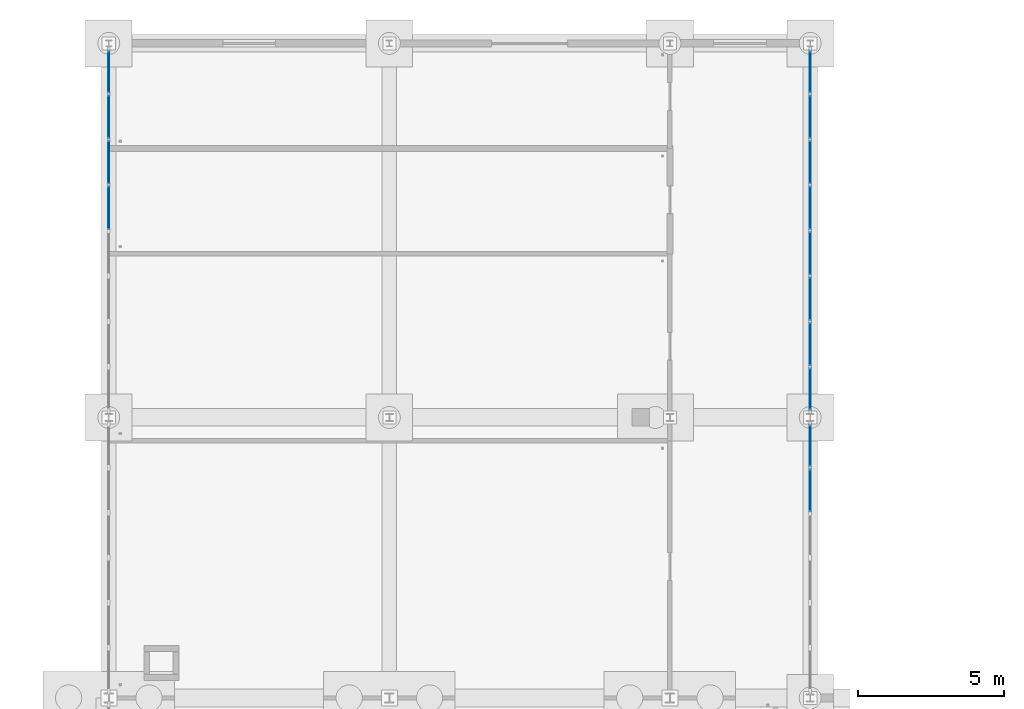
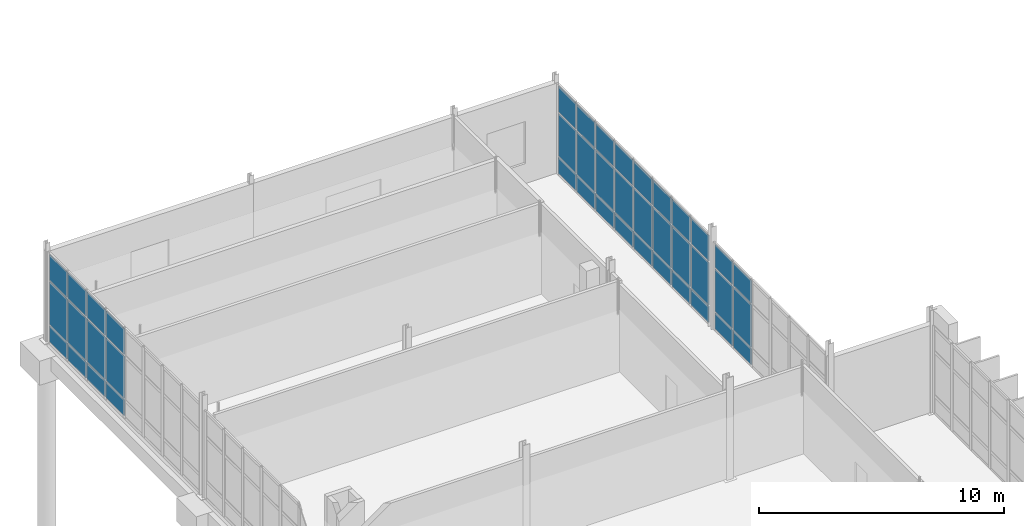
# One storey, part 48 of 111: 42 plates, 3 elements without a shape of their own.
"""IFC4 building model written with IfcOpenShell, lengths in metres."""

import ifcopenshell
import ifcopenshell.guid

model = None  # the IFC model being written
_history = None  # IfcOwnerHistory: only IFC2X3 demands one
_inside = {}  # id of a spatial element -> (the spatial element, [elements in it])
_under = {}  # id of a project, library or spatial element -> (it, [spatial elements below it])
_declared = {}  # id of a project -> (the project, [libraries it declares])
_typed = {}  # id of a type object -> (the type object, [elements of that type])
_made_of = {}  # id of a material, layer set ... -> (it, [elements and type objects made of it])


def new_model(schema):
    """Start an empty IFC model of exactly this schema.

    Asked for "IFC4X3", IfcOpenShell would pick the latest addendum, in which some entities
    have other attributes; the version numbers below select the first issue.
    IFC2X3 requires an IfcOwnerHistory on every rooted entity: one is made here for all.
    """
    global model, _history
    if schema == "IFC4X3":
        model = ifcopenshell.file(schema_version=(4, 3, 0, 0))
    else:
        model = ifcopenshell.file(schema=schema)
    _inside.clear()
    _under.clear()
    _declared.clear()
    _typed.clear()
    _made_of.clear()
    _history = None
    if model.schema == "IFC2X3":
        org = make("IfcOrganization", Name="unknown")
        user = make(
            "IfcPersonAndOrganization",
            ThePerson=make("IfcPerson", FamilyName="unknown"),
            TheOrganization=org,
        )
        app = make(
            "IfcApplication",
            ApplicationDeveloper=org,
            Version="unknown",
            ApplicationFullName="unknown",
            ApplicationIdentifier="unknown",
        )
        _history = make(
            "IfcOwnerHistory",
            OwningUser=user,
            OwningApplication=app,
            ChangeAction="ADDED",
            CreationDate=0,
        )
    return model


def make(cls, **values):
    """One entity of the class cls with the attributes given. An attribute that is None is left unset."""
    return model.create_entity(
        cls, **{name: value for name, value in values.items() if value is not None}
    )


def rooted(cls, **values):
    """An entity with a GlobalId (a new one), such as an element, a storey or a relation."""
    return make(cls, GlobalId=ifcopenshell.guid.new(), OwnerHistory=_history, **values)


def si_unit(unit_type, name, prefix=None):
    """IfcSIUnit, for example si_unit("LENGTHUNIT", "METRE", prefix="MILLI")."""
    return make("IfcSIUnit", UnitType=unit_type, Prefix=prefix, Name=name)


def assignment(units):
    """IfcUnitAssignment: the units of a project."""
    return None if units is None else make("IfcUnitAssignment", Units=units)


def point(xyz):
    """IfcCartesianPoint."""
    return None if xyz is None else make("IfcCartesianPoint", Coordinates=xyz)


def direction(xyz):
    """IfcDirection."""
    return None if xyz is None else make("IfcDirection", DirectionRatios=xyz)


def frame(location, z_axis=None, x_axis=None):
    """IfcAxis2Placement3D, a coordinate frame: its origin and axes. An axis left out is left unset."""
    return make(
        "IfcAxis2Placement3D",
        Location=point(location),
        Axis=direction(z_axis),
        RefDirection=direction(x_axis),
    )


def frame_2d(location, x_axis=None):
    """IfcAxis2Placement2D, a coordinate frame in the plane: its origin and x axis."""
    return make(
        "IfcAxis2Placement2D", Location=point(location), RefDirection=direction(x_axis)
    )


def origin():
    """The frame at (0, 0, 0) with its axes left unset."""
    return frame((0.0, 0.0, 0.0))


def origin_2d():
    """The frame at (0, 0) in the plane with its x axis left unset."""
    return frame_2d((0.0, 0.0))


def place(relative_to, where):
    """IfcLocalPlacement: puts the frame where relative to a parent placement (None: the world)."""
    return make(
        "IfcLocalPlacement", PlacementRelTo=relative_to, RelativePlacement=where
    )


def context(
    kind, dimensions, precision=None, world=None, true_north=None, identifier=None
):
    """IfcGeometricRepresentationContext, for example the 3D "Model" context."""
    return make(
        "IfcGeometricRepresentationContext",
        ContextIdentifier=identifier,
        ContextType=kind,
        CoordinateSpaceDimension=dimensions,
        Precision=precision,
        WorldCoordinateSystem=world,
        TrueNorth=true_north,
    )


def subcontext(parent, identifier, kind, view, scale=None):
    """IfcGeometricRepresentationSubContext, for example "Body" below "Model"."""
    return make(
        "IfcGeometricRepresentationSubContext",
        ContextIdentifier=identifier,
        ContextType=kind,
        ParentContext=parent,
        TargetScale=scale,
        TargetView=view,
    )


def project(units=None, contexts=None):
    """IfcProject with its units and contexts."""
    return rooted(
        "IfcProject",
        Name="project",
        RepresentationContexts=contexts,
        UnitsInContext=assignment(units),
    )


def spatial(cls, under=None, at=None, **own):
    """A site, building, storey or space (cls), placed at a placement, below another one or the project."""
    s = rooted(cls, ObjectPlacement=at, **own)
    if under is not None:
        _under.setdefault(under.id(), (under, []))[1].append(s)
    return s


def profile(cls, at=None, kind="AREA", **sizes):
    """A parametric profile (cls). Its sizes go by their IFC names, for example OverallWidth=200.0."""
    return make(cls, ProfileType=kind, Position=at, **sizes)


def rectangle(**sizes):
    """IfcRectangleProfileDef."""
    return profile("IfcRectangleProfileDef", **sizes)


def extrude(swept, where, along, depth):
    """IfcExtrudedAreaSolid: the profile swept, set in the frame where, extruded along a direction by depth."""
    return make(
        "IfcExtrudedAreaSolid",
        SweptArea=swept,
        Position=where,
        ExtrudedDirection=direction(along),
        Depth=depth,
    )


def shape(context_of_items, identifier, shape_type, items):
    """IfcShapeRepresentation: the items that make up one representation, for example the "Body"."""
    return make(
        "IfcShapeRepresentation",
        ContextOfItems=context_of_items,
        RepresentationIdentifier=identifier,
        RepresentationType=shape_type,
        Items=items,
    )


def material(Name=None, Category=None):
    """IfcMaterial."""
    return make("IfcMaterial", Name=Name, Category=Category)


def layer(
    of_material, thickness, ventilated=None, Name=None, Category=None, Priority=None
):
    """IfcMaterialLayer: one layer of a wall or slab, of a material (None: an air gap)."""
    return make(
        "IfcMaterialLayer",
        Material=of_material,
        LayerThickness=thickness,
        IsVentilated=ventilated,
        Name=Name,
        Category=Category,
        Priority=Priority,
    )


def layer_set(layers, Name=None):
    """IfcMaterialLayerSet."""
    return make("IfcMaterialLayerSet", MaterialLayers=layers, LayerSetName=Name)


def made_of(thing, what):
    """Note that an element or type object is made of a material, layer set ...; save() writes the relation."""
    if what is not None:
        _made_of.setdefault(what.id(), (what, []))[1].append(thing)
    return thing


def type_object(cls, material=None, **own):
    """A type object (cls), such as IfcWallType, which elements share."""
    return made_of(rooted(cls, **own), material)


def element(
    cls,
    number,
    at=None,
    inside=None,
    cuts=None,
    type_object=None,
    material=None,
    context=None,
    identifier="Body",
    shape_type=None,
    held_by="IfcProductDefinitionShape",
    body=None,
    shapes=None,
    **own,
):
    """One element of the class cls, such as IfcWall. Its Tag is "e" and its number.

    at: its placement. inside: the storey or other place that contains it. cuts: it is an
    opening in that element (IfcRelVoidsElement). A single representation is given by context,
    identifier, shape_type and body (its items); several are given by shapes. held_by: the class
    of the entity that holds the representations. save() writes the other relations.
    """
    e = rooted(cls, Tag="e%d" % number, ObjectPlacement=at, **own)
    if body is not None:
        shapes = [shape(context, identifier, shape_type, body)]
    if shapes is not None:
        e.Representation = make(held_by, Representations=shapes)
    if inside is not None:
        _inside.setdefault(inside.id(), (inside, []))[1].append(e)
    if cuts is not None:
        rooted(
            "IfcRelVoidsElement", RelatingBuildingElement=cuts, RelatedOpeningElement=e
        )
    if type_object is not None:
        _typed.setdefault(type_object.id(), (type_object, []))[1].append(e)
    return made_of(e, material)


def aggregate(whole, parts):
    """IfcRelAggregates: a whole, such as a stair, and the parts it consists of."""
    return rooted("IfcRelAggregates", RelatingObject=whole, RelatedObjects=parts)


def save(model, path):
    """Write the relations noted so far, then the file.

    IfcRelAggregates (storeys below a building ...), IfcRelContainedInSpatialStructure (elements
    in a storey), IfcRelDefinesByType, IfcRelAssociatesMaterial and IfcRelDeclares: one each for
    every whole, place, type object, material and project.
    """
    for whole, parts in _under.values():
        aggregate(whole, parts)
    for where, things in _inside.values():
        rooted(
            "IfcRelContainedInSpatialStructure",
            RelatedElements=things,
            RelatingStructure=where,
        )
    for kind, things in _typed.values():
        rooted("IfcRelDefinesByType", RelatedObjects=things, RelatingType=kind)
    for what, things in _made_of.values():
        rooted("IfcRelAssociatesMaterial", RelatedObjects=things, RelatingMaterial=what)
    for by, libraries in _declared.values():
        rooted("IfcRelDeclares", RelatingContext=by, RelatedDefinitions=libraries)
    model.write(path)


model = new_model("IFC4")

# Units and contexts
model_context = context("Model", 3, precision=1e-05, world=origin(), true_north=direction((0.0, 1.0)))
body_context = subcontext(model_context, "Body", "Model", "MODEL_VIEW")
ifc_project = project(units=[si_unit("LENGTHUNIT", "METRE"), si_unit("AREAUNIT", "SQUARE_METRE"), si_unit("VOLUMEUNIT", "CUBIC_METRE"), si_unit("PLANEANGLEUNIT", "RADIAN"), si_unit("MASSUNIT", "GRAM", prefix="KILO")], contexts=[model_context])

# Site, building, storey
site_placement = place(None, origin())
site = spatial("IfcSite", under=ifc_project, at=site_placement, CompositionType="ELEMENT")
building_placement = place(site_placement, origin())
building = spatial("IfcBuilding", under=site, at=building_placement, Name="Dunescarp Central Library", CompositionType="ELEMENT")
storey_placement = place(building_placement, origin())
storey = spatial("IfcBuildingStorey", under=building, at=storey_placement, Name="L00", CompositionType="ELEMENT", Elevation=0.0)

# Curtain wall, plates
ifc_material_1 = material(Name="Marine-grade anodised aluminium 6063-T6", Category="aluminium")
curtain_wall_type = type_object("IfcCurtainWallType", Name="ARC-CW-STICK", PredefinedType="NOTDEFINED", material=ifc_material_1)
curtain_wall_1_placement = place(storey_placement, origin())
curtain_wall_1 = element("IfcCurtainWall", 1, at=curtain_wall_1_placement, inside=storey, type_object=curtain_wall_type, Name="L00 curtain wall CW-V4N-139", PredefinedType="NOTDEFINED")
ifc_material_2 = material(Name="Solar-control laminated double glazing", Category="glass")
ifc_layer_1 = layer(ifc_material_2, 0.028076171875)
ifc_layer_set_1 = layer_set([ifc_layer_1], Name="Solar-control laminated double glazing")
plate_type_1 = type_object("IfcPlateType", Name="ARC-PLT-GLZ28", PredefinedType="CURTAIN_PANEL", material=ifc_layer_set_1)
plate_1_placement = place(storey_placement, frame((24.0, 98.234130859375, 0.93994140625), z_axis=(0.0, 0.0, 1.0), x_axis=(0.0, -1.0, 0.0)))
plate_1 = element("IfcPlate", 2, at=plate_1_placement, type_object=plate_type_1, Name="CW-V4N-139 panel 1.2", PredefinedType="CURTAIN_PANEL", context=body_context, shape_type="SweptSolid", body=[
    extrude(rectangle(XDim=1.421630859375, YDim=0.028076171875, at=origin_2d()), origin(), (0.0, 0.0, 1.0), 2.1201171875),
])
plate_2_placement = place(storey_placement, frame((24.0, 98.234130859375, 3.14013671875), z_axis=(0.0, 0.0, 1.0), x_axis=(0.0, -1.0, 0.0)))
plate_2 = element("IfcPlate", 3, at=plate_2_placement, type_object=plate_type_1, Name="CW-V4N-139 panel 1.3", PredefinedType="CURTAIN_PANEL", context=body_context, shape_type="SweptSolid", body=[
    extrude(rectangle(XDim=1.421630859375, YDim=0.028076171875, at=origin_2d()), origin(), (0.0, 0.0, 1.0), 1.135009765625),
])
plate_3_placement = place(storey_placement, frame((24.0, 96.71240234375, 0.93994140625), z_axis=(0.0, 0.0, 1.0), x_axis=(0.0, -1.0, 0.0)))
plate_3 = element("IfcPlate", 4, at=plate_3_placement, type_object=plate_type_1, Name="CW-V4N-139 panel 2.2", PredefinedType="CURTAIN_PANEL", context=body_context, shape_type="SweptSolid", body=[
    extrude(rectangle(XDim=1.461669921875, YDim=0.028076171875, at=origin_2d()), origin(), (0.0, 0.0, 1.0), 2.1201171875),
])
plate_4_placement = place(storey_placement, frame((24.0, 96.71240234375, 3.14013671875), z_axis=(0.0, 0.0, 1.0), x_axis=(0.0, -1.0, 0.0)))
plate_4 = element("IfcPlate", 5, at=plate_4_placement, type_object=plate_type_1, Name="CW-V4N-139 panel 2.3", PredefinedType="CURTAIN_PANEL", context=body_context, shape_type="SweptSolid", body=[
    extrude(rectangle(XDim=1.461669921875, YDim=0.028076171875, at=origin_2d()), origin(), (0.0, 0.0, 1.0), 1.135009765625),
])

curtain_wall_2_placement = place(storey_placement, origin())
curtain_wall_2 = element("IfcCurtainWall", 6, at=curtain_wall_2_placement, inside=storey, type_object=curtain_wall_type, Name="L00 curtain wall CW-V4N-140", PredefinedType="NOTDEFINED")
plate_5_placement = place(storey_placement, frame((0.0, 106.378173828125, 0.93994140625), z_axis=(0.0, 0.0, 1.0), x_axis=(0.0, 1.0, 0.0)))
plate_5 = element("IfcPlate", 7, at=plate_5_placement, type_object=plate_type_1, Name="CW-V4N-140 panel 5.2", PredefinedType="CURTAIN_PANEL", context=body_context, shape_type="SweptSolid", body=[
    extrude(rectangle(XDim=1.476318359375, YDim=0.028076171875, at=origin_2d()), origin(), (0.0, 0.0, 1.0), 2.1201171875),
])
plate_6_placement = place(storey_placement, frame((0.0, 106.378173828125, 3.14013671875), z_axis=(0.0, 0.0, 1.0), x_axis=(0.0, 1.0, 0.0)))
plate_6 = element("IfcPlate", 8, at=plate_6_placement, type_object=plate_type_1, Name="CW-V4N-140 panel 5.3", PredefinedType="CURTAIN_PANEL", context=body_context, shape_type="SweptSolid", body=[
    extrude(rectangle(XDim=1.476318359375, YDim=0.028076171875, at=origin_2d()), origin(), (0.0, 0.0, 1.0), 1.27490234375),
])
plate_7_placement = place(storey_placement, frame((0.0, 107.934326171875, 0.93994140625), z_axis=(0.0, 0.0, 1.0), x_axis=(0.0, 1.0, 0.0)))
plate_7 = element("IfcPlate", 9, at=plate_7_placement, type_object=plate_type_1, Name="CW-V4N-140 panel 6.2", PredefinedType="CURTAIN_PANEL", context=body_context, shape_type="SweptSolid", body=[
    extrude(rectangle(XDim=1.476318359375, YDim=0.028076171875, at=origin_2d()), origin(), (0.0, 0.0, 1.0), 2.1201171875),
])
plate_8_placement = place(storey_placement, frame((0.0, 107.934326171875, 3.14013671875), z_axis=(0.0, 0.0, 1.0), x_axis=(0.0, 1.0, 0.0)))
plate_8 = element("IfcPlate", 10, at=plate_8_placement, type_object=plate_type_1, Name="CW-V4N-140 panel 6.3", PredefinedType="CURTAIN_PANEL", context=body_context, shape_type="SweptSolid", body=[
    extrude(rectangle(XDim=1.476318359375, YDim=0.028076171875, at=origin_2d()), origin(), (0.0, 0.0, 1.0), 1.27490234375),
])
plate_9_placement = place(storey_placement, frame((0.0, 109.49072265625, 0.93994140625), z_axis=(0.0, 0.0, 1.0), x_axis=(0.0, 1.0, 0.0)))
plate_9 = element("IfcPlate", 11, at=plate_9_placement, type_object=plate_type_1, Name="CW-V4N-140 panel 7.2", PredefinedType="CURTAIN_PANEL", context=body_context, shape_type="SweptSolid", body=[
    extrude(rectangle(XDim=1.476318359375, YDim=0.028076171875, at=origin_2d()), origin(), (0.0, 0.0, 1.0), 2.1201171875),
])
plate_10_placement = place(storey_placement, frame((0.0, 109.49072265625, 3.14013671875), z_axis=(0.0, 0.0, 1.0), x_axis=(0.0, 1.0, 0.0)))
plate_10 = element("IfcPlate", 12, at=plate_10_placement, type_object=plate_type_1, Name="CW-V4N-140 panel 7.3", PredefinedType="CURTAIN_PANEL", context=body_context, shape_type="SweptSolid", body=[
    extrude(rectangle(XDim=1.476318359375, YDim=0.028076171875, at=origin_2d()), origin(), (0.0, 0.0, 1.0), 1.27490234375),
])
plate_11_placement = place(storey_placement, frame((0.0, 111.02685546875, 0.93994140625), z_axis=(0.0, 0.0, 1.0), x_axis=(0.0, 1.0, 0.0)))
plate_11 = element("IfcPlate", 13, at=plate_11_placement, type_object=plate_type_1, Name="CW-V4N-140 panel 8.2", PredefinedType="CURTAIN_PANEL", context=body_context, shape_type="SweptSolid", body=[
    extrude(rectangle(XDim=1.436279296875, YDim=0.028076171875, at=origin_2d()), origin(), (0.0, 0.0, 1.0), 2.1201171875),
])
plate_12_placement = place(storey_placement, frame((0.0, 111.02685546875, 3.14013671875), z_axis=(0.0, 0.0, 1.0), x_axis=(0.0, 1.0, 0.0)))
plate_12 = element("IfcPlate", 14, at=plate_12_placement, type_object=plate_type_1, Name="CW-V4N-140 panel 8.3", PredefinedType="CURTAIN_PANEL", context=body_context, shape_type="SweptSolid", body=[
    extrude(rectangle(XDim=1.436279296875, YDim=0.028076171875, at=origin_2d()), origin(), (0.0, 0.0, 1.0), 1.27490234375),
])

curtain_wall_3_placement = place(storey_placement, origin())
curtain_wall_3 = element("IfcCurtainWall", 15, at=curtain_wall_3_placement, inside=storey, type_object=curtain_wall_type, Name="L00 curtain wall CW-V4N-141", PredefinedType="NOTDEFINED")
plate_13_placement = place(storey_placement, frame((24.0, 111.02685546875, 0.93994140625), z_axis=(0.0, 0.0, 1.0), x_axis=(0.0, -1.0, 0.0)))
plate_13 = element("IfcPlate", 16, at=plate_13_placement, type_object=plate_type_1, Name="CW-V4N-141 panel 1.2", PredefinedType="CURTAIN_PANEL", context=body_context, shape_type="SweptSolid", body=[
    extrude(rectangle(XDim=1.436279296875, YDim=0.028076171875, at=origin_2d()), origin(), (0.0, 0.0, 1.0), 2.1201171875),
])
plate_14_placement = place(storey_placement, frame((24.0, 111.02685546875, 3.14013671875), z_axis=(0.0, 0.0, 1.0), x_axis=(0.0, -1.0, 0.0)))
plate_14 = element("IfcPlate", 17, at=plate_14_placement, type_object=plate_type_1, Name="CW-V4N-141 panel 1.3", PredefinedType="CURTAIN_PANEL", context=body_context, shape_type="SweptSolid", body=[
    extrude(rectangle(XDim=1.436279296875, YDim=0.028076171875, at=origin_2d()), origin(), (0.0, 0.0, 1.0), 1.27490234375),
])
plate_15_placement = place(storey_placement, frame((24.0, 109.49072265625, 0.93994140625), z_axis=(0.0, 0.0, 1.0), x_axis=(0.0, -1.0, 0.0)))
plate_15 = element("IfcPlate", 18, at=plate_15_placement, type_object=plate_type_1, Name="CW-V4N-141 panel 2.2", PredefinedType="CURTAIN_PANEL", context=body_context, shape_type="SweptSolid", body=[
    extrude(rectangle(XDim=1.476318359375, YDim=0.028076171875, at=origin_2d()), origin(), (0.0, 0.0, 1.0), 2.1201171875),
])
plate_16_placement = place(storey_placement, frame((24.0, 109.49072265625, 3.14013671875), z_axis=(0.0, 0.0, 1.0), x_axis=(0.0, -1.0, 0.0)))
plate_16 = element("IfcPlate", 19, at=plate_16_placement, type_object=plate_type_1, Name="CW-V4N-141 panel 2.3", PredefinedType="CURTAIN_PANEL", context=body_context, shape_type="SweptSolid", body=[
    extrude(rectangle(XDim=1.476318359375, YDim=0.028076171875, at=origin_2d()), origin(), (0.0, 0.0, 1.0), 1.27490234375),
])
plate_17_placement = place(storey_placement, frame((24.0, 107.934326171875, 0.93994140625), z_axis=(0.0, 0.0, 1.0), x_axis=(0.0, -1.0, 0.0)))
plate_17 = element("IfcPlate", 20, at=plate_17_placement, type_object=plate_type_1, Name="CW-V4N-141 panel 3.2", PredefinedType="CURTAIN_PANEL", context=body_context, shape_type="SweptSolid", body=[
    extrude(rectangle(XDim=1.476318359375, YDim=0.028076171875, at=origin_2d()), origin(), (0.0, 0.0, 1.0), 2.1201171875),
])
plate_18_placement = place(storey_placement, frame((24.0, 107.934326171875, 3.14013671875), z_axis=(0.0, 0.0, 1.0), x_axis=(0.0, -1.0, 0.0)))
plate_18 = element("IfcPlate", 21, at=plate_18_placement, type_object=plate_type_1, Name="CW-V4N-141 panel 3.3", PredefinedType="CURTAIN_PANEL", context=body_context, shape_type="SweptSolid", body=[
    extrude(rectangle(XDim=1.476318359375, YDim=0.028076171875, at=origin_2d()), origin(), (0.0, 0.0, 1.0), 1.27490234375),
])
plate_19_placement = place(storey_placement, frame((24.0, 106.378173828125, 0.93994140625), z_axis=(0.0, 0.0, 1.0), x_axis=(0.0, -1.0, 0.0)))
plate_19 = element("IfcPlate", 22, at=plate_19_placement, type_object=plate_type_1, Name="CW-V4N-141 panel 4.2", PredefinedType="CURTAIN_PANEL", context=body_context, shape_type="SweptSolid", body=[
    extrude(rectangle(XDim=1.476318359375, YDim=0.028076171875, at=origin_2d()), origin(), (0.0, 0.0, 1.0), 2.1201171875),
])
plate_20_placement = place(storey_placement, frame((24.0, 106.378173828125, 3.14013671875), z_axis=(0.0, 0.0, 1.0), x_axis=(0.0, -1.0, 0.0)))
plate_20 = element("IfcPlate", 23, at=plate_20_placement, type_object=plate_type_1, Name="CW-V4N-141 panel 4.3", PredefinedType="CURTAIN_PANEL", context=body_context, shape_type="SweptSolid", body=[
    extrude(rectangle(XDim=1.476318359375, YDim=0.028076171875, at=origin_2d()), origin(), (0.0, 0.0, 1.0), 1.27490234375),
])
plate_21_placement = place(storey_placement, frame((24.0, 104.82177734375, 0.93994140625), z_axis=(0.0, 0.0, 1.0), x_axis=(0.0, -1.0, 0.0)))
plate_21 = element("IfcPlate", 24, at=plate_21_placement, type_object=plate_type_1, Name="CW-V4N-141 panel 5.2", PredefinedType="CURTAIN_PANEL", context=body_context, shape_type="SweptSolid", body=[
    extrude(rectangle(XDim=1.476318359375, YDim=0.028076171875, at=origin_2d()), origin(), (0.0, 0.0, 1.0), 2.1201171875),
])
plate_22_placement = place(storey_placement, frame((24.0, 104.82177734375, 3.14013671875), z_axis=(0.0, 0.0, 1.0), x_axis=(0.0, -1.0, 0.0)))
plate_22 = element("IfcPlate", 25, at=plate_22_placement, type_object=plate_type_1, Name="CW-V4N-141 panel 5.3", PredefinedType="CURTAIN_PANEL", context=body_context, shape_type="SweptSolid", body=[
    extrude(rectangle(XDim=1.476318359375, YDim=0.028076171875, at=origin_2d()), origin(), (0.0, 0.0, 1.0), 1.27490234375),
])
plate_23_placement = place(storey_placement, frame((24.0, 103.265625, 0.93994140625), z_axis=(0.0, 0.0, 1.0), x_axis=(0.0, -1.0, 0.0)))
plate_23 = element("IfcPlate", 26, at=plate_23_placement, type_object=plate_type_1, Name="CW-V4N-141 panel 6.2", PredefinedType="CURTAIN_PANEL", context=body_context, shape_type="SweptSolid", body=[
    extrude(rectangle(XDim=1.476318359375, YDim=0.028076171875, at=origin_2d()), origin(), (0.0, 0.0, 1.0), 2.1201171875),
])
plate_24_placement = place(storey_placement, frame((24.0, 103.265625, 3.14013671875), z_axis=(0.0, 0.0, 1.0), x_axis=(0.0, -1.0, 0.0)))
plate_24 = element("IfcPlate", 27, at=plate_24_placement, type_object=plate_type_1, Name="CW-V4N-141 panel 6.3", PredefinedType="CURTAIN_PANEL", context=body_context, shape_type="SweptSolid", body=[
    extrude(rectangle(XDim=1.476318359375, YDim=0.028076171875, at=origin_2d()), origin(), (0.0, 0.0, 1.0), 1.27490234375),
])
plate_25_placement = place(storey_placement, frame((24.0, 101.70947265625, 0.93994140625), z_axis=(0.0, 0.0, 1.0), x_axis=(0.0, -1.0, 0.0)))
plate_25 = element("IfcPlate", 28, at=plate_25_placement, type_object=plate_type_1, Name="CW-V4N-141 panel 7.2", PredefinedType="CURTAIN_PANEL", context=body_context, shape_type="SweptSolid", body=[
    extrude(rectangle(XDim=1.476318359375, YDim=0.028076171875, at=origin_2d()), origin(), (0.0, 0.0, 1.0), 2.1201171875),
])
plate_26_placement = place(storey_placement, frame((24.0, 101.70947265625, 3.14013671875), z_axis=(0.0, 0.0, 1.0), x_axis=(0.0, -1.0, 0.0)))
plate_26 = element("IfcPlate", 29, at=plate_26_placement, type_object=plate_type_1, Name="CW-V4N-141 panel 7.3", PredefinedType="CURTAIN_PANEL", context=body_context, shape_type="SweptSolid", body=[
    extrude(rectangle(XDim=1.476318359375, YDim=0.028076171875, at=origin_2d()), origin(), (0.0, 0.0, 1.0), 1.27490234375),
])
plate_27_placement = place(storey_placement, frame((24.0, 100.173095703125, 0.93994140625), z_axis=(0.0, 0.0, 1.0), x_axis=(0.0, -1.0, 0.0)))
plate_27 = element("IfcPlate", 30, at=plate_27_placement, type_object=plate_type_1, Name="CW-V4N-141 panel 8.2", PredefinedType="CURTAIN_PANEL", context=body_context, shape_type="SweptSolid", body=[
    extrude(rectangle(XDim=1.436279296875, YDim=0.028076171875, at=origin_2d()), origin(), (0.0, 0.0, 1.0), 2.1201171875),
])
plate_28_placement = place(storey_placement, frame((24.0, 100.173095703125, 3.14013671875), z_axis=(0.0, 0.0, 1.0), x_axis=(0.0, -1.0, 0.0)))
plate_28 = element("IfcPlate", 31, at=plate_28_placement, type_object=plate_type_1, Name="CW-V4N-141 panel 8.3", PredefinedType="CURTAIN_PANEL", context=body_context, shape_type="SweptSolid", body=[
    extrude(rectangle(XDim=1.436279296875, YDim=0.028076171875, at=origin_2d()), origin(), (0.0, 0.0, 1.0), 1.27490234375),
])

# Plate
ifc_layer_2 = layer(ifc_material_1, 0.050048828125)
ifc_layer_set_2 = layer_set([ifc_layer_2], Name="Marine-grade anodised aluminium 6063-T6")
plate_type_2 = type_object("IfcPlateType", Name="ARC-PLT-SPN50", PredefinedType="SHEET", material=ifc_layer_set_2)
plate_29_placement = place(storey_placement, frame((24.0, 98.234130859375, 0.080078125), z_axis=(0.0, 0.0, 1.0), x_axis=(0.0, -1.0, 0.0)))
plate_29 = element("IfcPlate", 32, at=plate_29_placement, type_object=plate_type_2, Name="CW-V4N-139 panel 1.1", PredefinedType="SHEET", context=body_context, shape_type="SweptSolid", body=[
    extrude(rectangle(XDim=1.421630859375, YDim=0.050048828125, at=origin_2d()), origin(), (0.0, 0.0, 1.0), 0.780029296875),
])

plate_30_placement = place(storey_placement, frame((24.0, 96.71240234375, 0.080078125), z_axis=(0.0, 0.0, 1.0), x_axis=(0.0, -1.0, 0.0)))
plate_30 = element("IfcPlate", 33, at=plate_30_placement, type_object=plate_type_2, Name="CW-V4N-139 panel 2.1", PredefinedType="SHEET", context=body_context, shape_type="SweptSolid", body=[
    extrude(rectangle(XDim=1.461669921875, YDim=0.050048828125, at=origin_2d()), origin(), (0.0, 0.0, 1.0), 0.780029296875),
])

aggregate(curtain_wall_1, [plate_29, plate_1, plate_2, plate_30, plate_3, plate_4])

plate_31_placement = place(storey_placement, frame((0.0, 106.378173828125, 0.080078125), z_axis=(0.0, 0.0, 1.0), x_axis=(0.0, 1.0, 0.0)))
plate_31 = element("IfcPlate", 34, at=plate_31_placement, type_object=plate_type_2, Name="CW-V4N-140 panel 5.1", PredefinedType="SHEET", context=body_context, shape_type="SweptSolid", body=[
    extrude(rectangle(XDim=1.476318359375, YDim=0.050048828125, at=origin_2d()), origin(), (0.0, 0.0, 1.0), 0.780029296875),
])

plate_32_placement = place(storey_placement, frame((0.0, 107.934326171875, 0.080078125), z_axis=(0.0, 0.0, 1.0), x_axis=(0.0, 1.0, 0.0)))
plate_32 = element("IfcPlate", 35, at=plate_32_placement, type_object=plate_type_2, Name="CW-V4N-140 panel 6.1", PredefinedType="SHEET", context=body_context, shape_type="SweptSolid", body=[
    extrude(rectangle(XDim=1.476318359375, YDim=0.050048828125, at=origin_2d()), origin(), (0.0, 0.0, 1.0), 0.780029296875),
])

plate_33_placement = place(storey_placement, frame((0.0, 109.49072265625, 0.080078125), z_axis=(0.0, 0.0, 1.0), x_axis=(0.0, 1.0, 0.0)))
plate_33 = element("IfcPlate", 36, at=plate_33_placement, type_object=plate_type_2, Name="CW-V4N-140 panel 7.1", PredefinedType="SHEET", context=body_context, shape_type="SweptSolid", body=[
    extrude(rectangle(XDim=1.476318359375, YDim=0.050048828125, at=origin_2d()), origin(), (0.0, 0.0, 1.0), 0.780029296875),
])

plate_34_placement = place(storey_placement, frame((0.0, 111.02685546875, 0.080078125), z_axis=(0.0, 0.0, 1.0), x_axis=(0.0, 1.0, 0.0)))
plate_34 = element("IfcPlate", 37, at=plate_34_placement, type_object=plate_type_2, Name="CW-V4N-140 panel 8.1", PredefinedType="SHEET", context=body_context, shape_type="SweptSolid", body=[
    extrude(rectangle(XDim=1.436279296875, YDim=0.050048828125, at=origin_2d()), origin(), (0.0, 0.0, 1.0), 0.780029296875),
])

aggregate(curtain_wall_2, [plate_31, plate_5, plate_6, plate_32, plate_7, plate_8, plate_33, plate_9, plate_10, plate_34, plate_11, plate_12])

plate_35_placement = place(storey_placement, frame((24.0, 111.02685546875, 0.080078125), z_axis=(0.0, 0.0, 1.0), x_axis=(0.0, -1.0, 0.0)))
plate_35 = element("IfcPlate", 38, at=plate_35_placement, type_object=plate_type_2, Name="CW-V4N-141 panel 1.1", PredefinedType="SHEET", context=body_context, shape_type="SweptSolid", body=[
    extrude(rectangle(XDim=1.436279296875, YDim=0.050048828125, at=origin_2d()), origin(), (0.0, 0.0, 1.0), 0.780029296875),
])

plate_36_placement = place(storey_placement, frame((24.0, 109.49072265625, 0.080078125), z_axis=(0.0, 0.0, 1.0), x_axis=(0.0, -1.0, 0.0)))
plate_36 = element("IfcPlate", 39, at=plate_36_placement, type_object=plate_type_2, Name="CW-V4N-141 panel 2.1", PredefinedType="SHEET", context=body_context, shape_type="SweptSolid", body=[
    extrude(rectangle(XDim=1.476318359375, YDim=0.050048828125, at=origin_2d()), origin(), (0.0, 0.0, 1.0), 0.780029296875),
])

plate_37_placement = place(storey_placement, frame((24.0, 107.934326171875, 0.080078125), z_axis=(0.0, 0.0, 1.0), x_axis=(0.0, -1.0, 0.0)))
plate_37 = element("IfcPlate", 40, at=plate_37_placement, type_object=plate_type_2, Name="CW-V4N-141 panel 3.1", PredefinedType="SHEET", context=body_context, shape_type="SweptSolid", body=[
    extrude(rectangle(XDim=1.476318359375, YDim=0.050048828125, at=origin_2d()), origin(), (0.0, 0.0, 1.0), 0.780029296875),
])

plate_38_placement = place(storey_placement, frame((24.0, 106.378173828125, 0.080078125), z_axis=(0.0, 0.0, 1.0), x_axis=(0.0, -1.0, 0.0)))
plate_38 = element("IfcPlate", 41, at=plate_38_placement, type_object=plate_type_2, Name="CW-V4N-141 panel 4.1", PredefinedType="SHEET", context=body_context, shape_type="SweptSolid", body=[
    extrude(rectangle(XDim=1.476318359375, YDim=0.050048828125, at=origin_2d()), origin(), (0.0, 0.0, 1.0), 0.780029296875),
])

plate_39_placement = place(storey_placement, frame((24.0, 104.82177734375, 0.080078125), z_axis=(0.0, 0.0, 1.0), x_axis=(0.0, -1.0, 0.0)))
plate_39 = element("IfcPlate", 42, at=plate_39_placement, type_object=plate_type_2, Name="CW-V4N-141 panel 5.1", PredefinedType="SHEET", context=body_context, shape_type="SweptSolid", body=[
    extrude(rectangle(XDim=1.476318359375, YDim=0.050048828125, at=origin_2d()), origin(), (0.0, 0.0, 1.0), 0.780029296875),
])

plate_40_placement = place(storey_placement, frame((24.0, 103.265625, 0.080078125), z_axis=(0.0, 0.0, 1.0), x_axis=(0.0, -1.0, 0.0)))
plate_40 = element("IfcPlate", 43, at=plate_40_placement, type_object=plate_type_2, Name="CW-V4N-141 panel 6.1", PredefinedType="SHEET", context=body_context, shape_type="SweptSolid", body=[
    extrude(rectangle(XDim=1.476318359375, YDim=0.050048828125, at=origin_2d()), origin(), (0.0, 0.0, 1.0), 0.780029296875),
])

plate_41_placement = place(storey_placement, frame((24.0, 101.70947265625, 0.080078125), z_axis=(0.0, 0.0, 1.0), x_axis=(0.0, -1.0, 0.0)))
plate_41 = element("IfcPlate", 44, at=plate_41_placement, type_object=plate_type_2, Name="CW-V4N-141 panel 7.1", PredefinedType="SHEET", context=body_context, shape_type="SweptSolid", body=[
    extrude(rectangle(XDim=1.476318359375, YDim=0.050048828125, at=origin_2d()), origin(), (0.0, 0.0, 1.0), 0.780029296875),
])

plate_42_placement = place(storey_placement, frame((24.0, 100.173095703125, 0.080078125), z_axis=(0.0, 0.0, 1.0), x_axis=(0.0, -1.0, 0.0)))
plate_42 = element("IfcPlate", 45, at=plate_42_placement, type_object=plate_type_2, Name="CW-V4N-141 panel 8.1", PredefinedType="SHEET", context=body_context, shape_type="SweptSolid", body=[
    extrude(rectangle(XDim=1.436279296875, YDim=0.050048828125, at=origin_2d()), origin(), (0.0, 0.0, 1.0), 0.780029296875),
])

aggregate(curtain_wall_3, [plate_35, plate_13, plate_14, plate_36, plate_15, plate_16, plate_37, plate_17, plate_18, plate_38, plate_19, plate_20, plate_39, plate_21, plate_22, plate_40, plate_23, plate_24, plate_41, plate_25, plate_26, plate_42, plate_27, plate_28])

save(model, "model.ifc")
